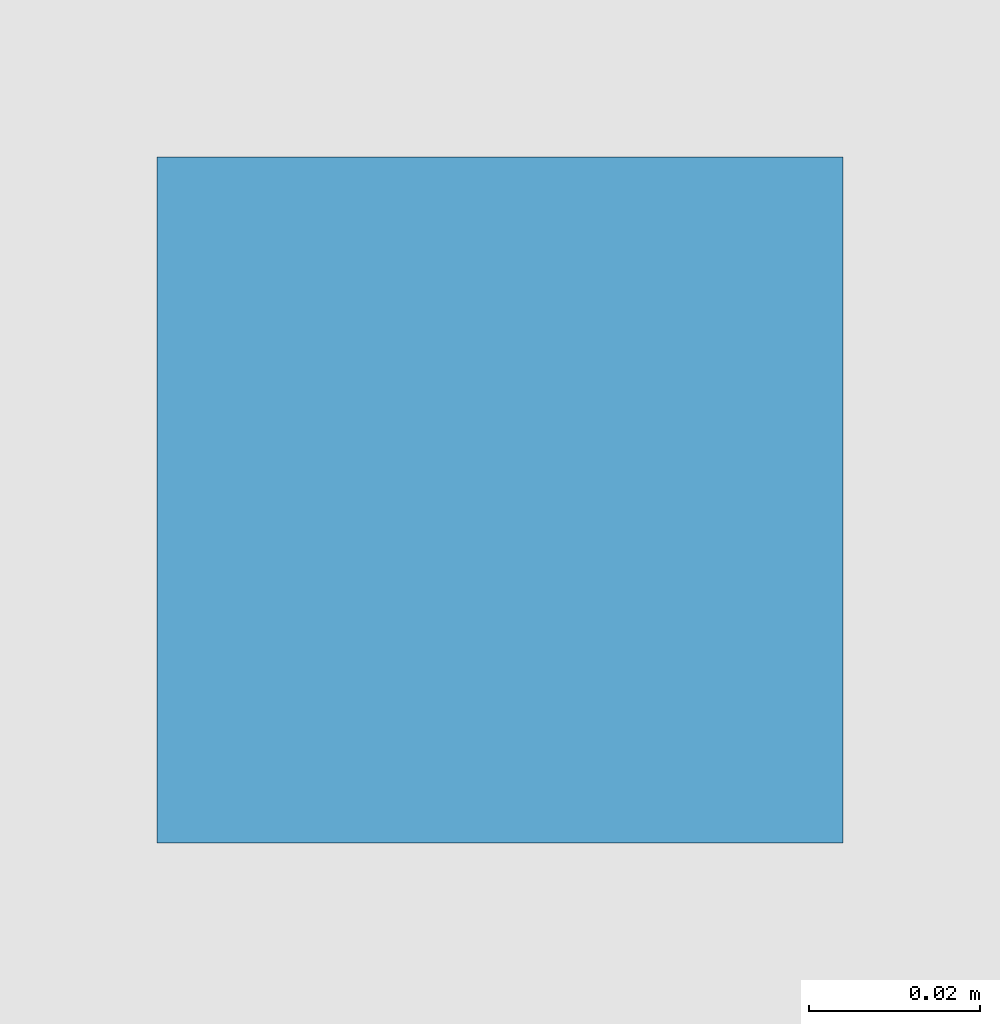
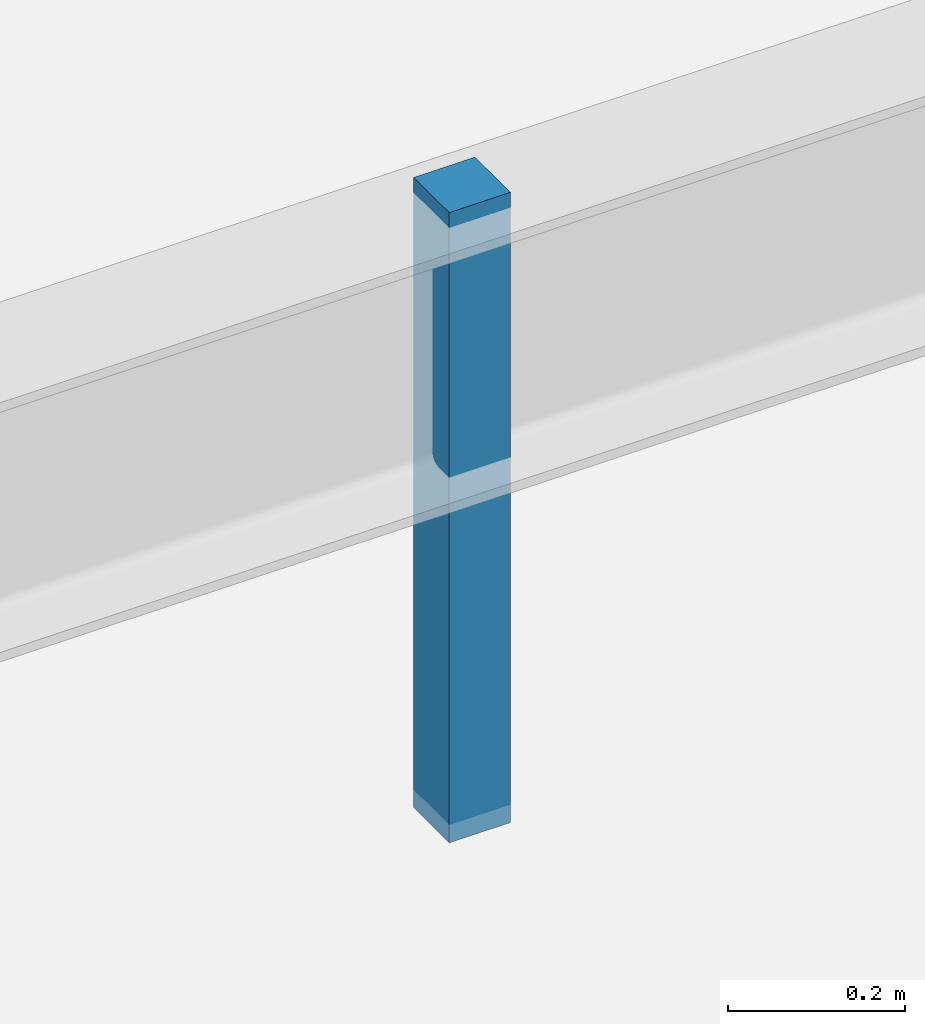
# One storey, part 97 of 111: 1 discrete accessory.
"""IFC4 building model written with IfcOpenShell, lengths in metres."""

import ifcopenshell
import ifcopenshell.guid

model = None  # the IFC model being written
_history = None  # IfcOwnerHistory: only IFC2X3 demands one
_inside = {}  # id of a spatial element -> (the spatial element, [elements in it])
_under = {}  # id of a project, library or spatial element -> (it, [spatial elements below it])
_declared = {}  # id of a project -> (the project, [libraries it declares])
_typed = {}  # id of a type object -> (the type object, [elements of that type])
_made_of = {}  # id of a material, layer set ... -> (it, [elements and type objects made of it])


def new_model(schema):
    """Start an empty IFC model of exactly this schema.

    Asked for "IFC4X3", IfcOpenShell would pick the latest addendum, in which some entities
    have other attributes; the version numbers below select the first issue.
    IFC2X3 requires an IfcOwnerHistory on every rooted entity: one is made here for all.
    """
    global model, _history
    if schema == "IFC4X3":
        model = ifcopenshell.file(schema_version=(4, 3, 0, 0))
    else:
        model = ifcopenshell.file(schema=schema)
    _inside.clear()
    _under.clear()
    _declared.clear()
    _typed.clear()
    _made_of.clear()
    _history = None
    if model.schema == "IFC2X3":
        org = make("IfcOrganization", Name="unknown")
        user = make(
            "IfcPersonAndOrganization",
            ThePerson=make("IfcPerson", FamilyName="unknown"),
            TheOrganization=org,
        )
        app = make(
            "IfcApplication",
            ApplicationDeveloper=org,
            Version="unknown",
            ApplicationFullName="unknown",
            ApplicationIdentifier="unknown",
        )
        _history = make(
            "IfcOwnerHistory",
            OwningUser=user,
            OwningApplication=app,
            ChangeAction="ADDED",
            CreationDate=0,
        )
    return model


def make(cls, **values):
    """One entity of the class cls with the attributes given. An attribute that is None is left unset."""
    return model.create_entity(
        cls, **{name: value for name, value in values.items() if value is not None}
    )


def rooted(cls, **values):
    """An entity with a GlobalId (a new one), such as an element, a storey or a relation."""
    return make(cls, GlobalId=ifcopenshell.guid.new(), OwnerHistory=_history, **values)


def si_unit(unit_type, name, prefix=None):
    """IfcSIUnit, for example si_unit("LENGTHUNIT", "METRE", prefix="MILLI")."""
    return make("IfcSIUnit", UnitType=unit_type, Prefix=prefix, Name=name)


def assignment(units):
    """IfcUnitAssignment: the units of a project."""
    return None if units is None else make("IfcUnitAssignment", Units=units)


def point(xyz):
    """IfcCartesianPoint."""
    return None if xyz is None else make("IfcCartesianPoint", Coordinates=xyz)


def direction(xyz):
    """IfcDirection."""
    return None if xyz is None else make("IfcDirection", DirectionRatios=xyz)


def frame(location, z_axis=None, x_axis=None):
    """IfcAxis2Placement3D, a coordinate frame: its origin and axes. An axis left out is left unset."""
    return make(
        "IfcAxis2Placement3D",
        Location=point(location),
        Axis=direction(z_axis),
        RefDirection=direction(x_axis),
    )


def frame_2d(location, x_axis=None):
    """IfcAxis2Placement2D, a coordinate frame in the plane: its origin and x axis."""
    return make(
        "IfcAxis2Placement2D", Location=point(location), RefDirection=direction(x_axis)
    )


def origin():
    """The frame at (0, 0, 0) with its axes left unset."""
    return frame((0.0, 0.0, 0.0))


def origin_2d():
    """The frame at (0, 0) in the plane with its x axis left unset."""
    return frame_2d((0.0, 0.0))


def place(relative_to, where):
    """IfcLocalPlacement: puts the frame where relative to a parent placement (None: the world)."""
    return make(
        "IfcLocalPlacement", PlacementRelTo=relative_to, RelativePlacement=where
    )


def context(
    kind, dimensions, precision=None, world=None, true_north=None, identifier=None
):
    """IfcGeometricRepresentationContext, for example the 3D "Model" context."""
    return make(
        "IfcGeometricRepresentationContext",
        ContextIdentifier=identifier,
        ContextType=kind,
        CoordinateSpaceDimension=dimensions,
        Precision=precision,
        WorldCoordinateSystem=world,
        TrueNorth=true_north,
    )


def subcontext(parent, identifier, kind, view, scale=None):
    """IfcGeometricRepresentationSubContext, for example "Body" below "Model"."""
    return make(
        "IfcGeometricRepresentationSubContext",
        ContextIdentifier=identifier,
        ContextType=kind,
        ParentContext=parent,
        TargetScale=scale,
        TargetView=view,
    )


def project(units=None, contexts=None):
    """IfcProject with its units and contexts."""
    return rooted(
        "IfcProject",
        Name="project",
        RepresentationContexts=contexts,
        UnitsInContext=assignment(units),
    )


def spatial(cls, under=None, at=None, **own):
    """A site, building, storey or space (cls), placed at a placement, below another one or the project."""
    s = rooted(cls, ObjectPlacement=at, **own)
    if under is not None:
        _under.setdefault(under.id(), (under, []))[1].append(s)
    return s


def profile(cls, at=None, kind="AREA", **sizes):
    """A parametric profile (cls). Its sizes go by their IFC names, for example OverallWidth=200.0."""
    return make(cls, ProfileType=kind, Position=at, **sizes)


def rectangle(**sizes):
    """IfcRectangleProfileDef."""
    return profile("IfcRectangleProfileDef", **sizes)


def extrude(swept, where, along, depth):
    """IfcExtrudedAreaSolid: the profile swept, set in the frame where, extruded along a direction by depth."""
    return make(
        "IfcExtrudedAreaSolid",
        SweptArea=swept,
        Position=where,
        ExtrudedDirection=direction(along),
        Depth=depth,
    )


def shape(context_of_items, identifier, shape_type, items):
    """IfcShapeRepresentation: the items that make up one representation, for example the "Body"."""
    return make(
        "IfcShapeRepresentation",
        ContextOfItems=context_of_items,
        RepresentationIdentifier=identifier,
        RepresentationType=shape_type,
        Items=items,
    )


def material(Name=None, Category=None):
    """IfcMaterial."""
    return make("IfcMaterial", Name=Name, Category=Category)


def made_of(thing, what):
    """Note that an element or type object is made of a material, layer set ...; save() writes the relation."""
    if what is not None:
        _made_of.setdefault(what.id(), (what, []))[1].append(thing)
    return thing


def type_object(cls, material=None, **own):
    """A type object (cls), such as IfcWallType, which elements share."""
    return made_of(rooted(cls, **own), material)


def element(
    cls,
    number,
    at=None,
    inside=None,
    cuts=None,
    type_object=None,
    material=None,
    context=None,
    identifier="Body",
    shape_type=None,
    held_by="IfcProductDefinitionShape",
    body=None,
    shapes=None,
    **own,
):
    """One element of the class cls, such as IfcWall. Its Tag is "e" and its number.

    at: its placement. inside: the storey or other place that contains it. cuts: it is an
    opening in that element (IfcRelVoidsElement). A single representation is given by context,
    identifier, shape_type and body (its items); several are given by shapes. held_by: the class
    of the entity that holds the representations. save() writes the other relations.
    """
    e = rooted(cls, Tag="e%d" % number, ObjectPlacement=at, **own)
    if body is not None:
        shapes = [shape(context, identifier, shape_type, body)]
    if shapes is not None:
        e.Representation = make(held_by, Representations=shapes)
    if inside is not None:
        _inside.setdefault(inside.id(), (inside, []))[1].append(e)
    if cuts is not None:
        rooted(
            "IfcRelVoidsElement", RelatingBuildingElement=cuts, RelatedOpeningElement=e
        )
    if type_object is not None:
        _typed.setdefault(type_object.id(), (type_object, []))[1].append(e)
    return made_of(e, material)


def aggregate(whole, parts):
    """IfcRelAggregates: a whole, such as a stair, and the parts it consists of."""
    return rooted("IfcRelAggregates", RelatingObject=whole, RelatedObjects=parts)


def save(model, path):
    """Write the relations noted so far, then the file.

    IfcRelAggregates (storeys below a building ...), IfcRelContainedInSpatialStructure (elements
    in a storey), IfcRelDefinesByType, IfcRelAssociatesMaterial and IfcRelDeclares: one each for
    every whole, place, type object, material and project.
    """
    for whole, parts in _under.values():
        aggregate(whole, parts)
    for where, things in _inside.values():
        rooted(
            "IfcRelContainedInSpatialStructure",
            RelatedElements=things,
            RelatingStructure=where,
        )
    for kind, things in _typed.values():
        rooted("IfcRelDefinesByType", RelatedObjects=things, RelatingType=kind)
    for what, things in _made_of.values():
        rooted("IfcRelAssociatesMaterial", RelatedObjects=things, RelatingMaterial=what)
    for by, libraries in _declared.values():
        rooted("IfcRelDeclares", RelatingContext=by, RelatedDefinitions=libraries)
    model.write(path)


model = new_model("IFC4")

# Units and contexts
model_context = context("Model", 3, precision=1e-05, world=origin(), true_north=direction((0.0, 1.0)))
body_context = subcontext(model_context, "Body", "Model", "MODEL_VIEW")
ifc_project = project(units=[si_unit("LENGTHUNIT", "METRE"), si_unit("AREAUNIT", "SQUARE_METRE"), si_unit("VOLUMEUNIT", "CUBIC_METRE"), si_unit("PLANEANGLEUNIT", "RADIAN"), si_unit("MASSUNIT", "GRAM", prefix="KILO")], contexts=[model_context])

# Site, building, storey
site_placement = place(None, origin())
site = spatial("IfcSite", under=ifc_project, at=site_placement, CompositionType="ELEMENT")
building_placement = place(site_placement, origin())
building = spatial("IfcBuilding", under=site, at=building_placement, Name="Solmirada Galleria", CompositionType="ELEMENT")
storey_placement = place(building_placement, frame((0.0, 0.0, 10.39990234375)))
storey = spatial("IfcBuildingStorey", under=building, at=storey_placement, Name="L02", CompositionType="ELEMENT", Elevation=10.39990234375)

# Discrete accessory
ifc_material = material(Name="Steel S355 / ASTM A992 Grade 50", Category="steel")
discrete_accessory_type = type_object("IfcDiscreteAccessoryType", Name="ACC-CEIL-HANGER", PredefinedType="BRACKET", material=ifc_material)
discrete_accessory_placement = place(storey_placement, frame((140.0, 92.0, 3.449951171875), z_axis=(0.0, 0.0, 1.0), x_axis=(1.0, 0.0, 0.0)))
element("IfcDiscreteAccessory", 1, at=discrete_accessory_placement, inside=storey, type_object=discrete_accessory_type, Name="Ceiling suspension hanger L02-3", PredefinedType="BRACKET", context=body_context, shape_type="SweptSolid", body=[
    extrude(rectangle(XDim=0.080078125, YDim=0.080078125, at=origin_2d()), origin(), (0.0, 0.0, 1.0), 0.8701171875),
])

save(model, "model.ifc")
